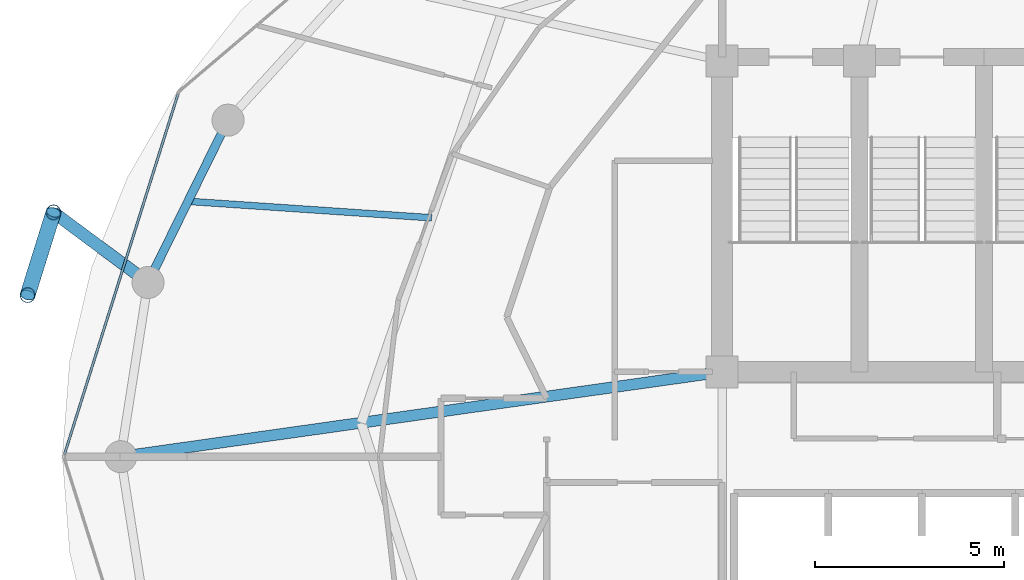
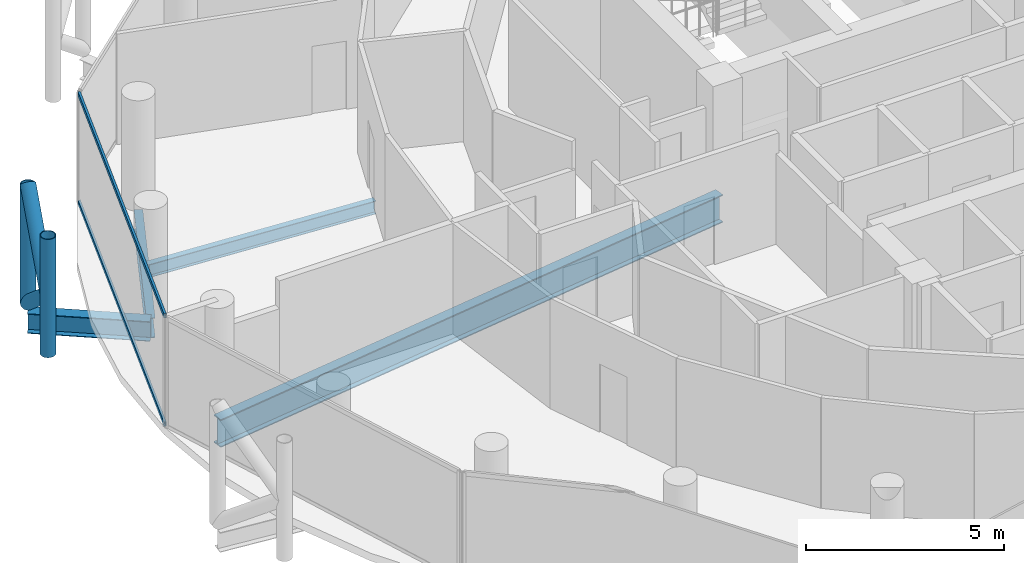
# One storey, part 8 of 27: 6 members, 4 beams, 1 element without a shape of its own.
"""IFC4 building model written with IfcOpenShell, lengths in metres."""

from ifc_helpers import new_model, si_unit, direction, frame, origin, origin_2d, place, context, subcontext, project, spatial, hollow_rectangle, hollow_circle, i_section, extrude, material, layer, layer_set, material_profile, profile_set, type_object, element, aggregate, save


model = new_model("IFC4")

# Units and contexts
model_context = context("Model", 3, precision=1e-05, world=origin(), true_north=direction((0.0, 1.0)))
body_context = subcontext(model_context, "Body", "Model", "MODEL_VIEW")
ifc_project = project(units=[si_unit("LENGTHUNIT", "METRE"), si_unit("AREAUNIT", "SQUARE_METRE"), si_unit("VOLUMEUNIT", "CUBIC_METRE"), si_unit("PLANEANGLEUNIT", "RADIAN"), si_unit("MASSUNIT", "GRAM", prefix="KILO")], contexts=[model_context])

# Site, building, storey
site_placement = place(None, origin())
site = spatial("IfcSite", under=ifc_project, at=site_placement, CompositionType="ELEMENT")
building_placement = place(site_placement, origin())
building = spatial("IfcBuilding", under=site, at=building_placement, Name="Nuhasar Tower", CompositionType="ELEMENT")
storey_placement = place(building_placement, frame((0.0, 0.0, 226.39990234375)))
storey = spatial("IfcBuildingStorey", under=building, at=storey_placement, Name="L55", CompositionType="ELEMENT", Elevation=226.39990234375)

# Beams
ifc_material_1 = material(Name="Steel S355", Category="steel")
ifc_material_profile_1 = material_profile(ifc_material_1, i_section(OverallWidth=0.177978515625, OverallDepth=0.406005859375, WebThickness=0.0078125, FlangeThickness=0.0126953125, at=origin_2d()), Name="W16X40")
ifc_profile_set_1 = profile_set([ifc_material_profile_1], Name="Steel S355")
beam_type_1 = type_object("IfcBeamType", Name="BM-JST-W16X40", PredefinedType="JOIST", material=ifc_profile_set_1)
beam_1_placement = place(storey_placement, frame((25.9970703125, 33.135986328125, -0.44287109375), z_axis=(-0.997721156568, 0.067472170095, 0.0), x_axis=(-0.067472170095, -0.997721156568, 0.0)))
element("IfcBeam", 1, at=beam_1_placement, inside=storey, type_object=beam_type_1, Name="L55 Secondary Floor Joist 07", PredefinedType="JOIST", context=body_context, shape_type="SweptSolid", body=[
    extrude(i_section(OverallWidth=0.177978515625, OverallDepth=0.406005859375, WebThickness=0.0078125, FlangeThickness=0.0126953125, at=origin_2d()), origin(), (0.0, 0.0, 1.0), 6.476806640625),
])
ifc_material_profile_2 = material_profile(ifc_material_1, i_section(OverallWidth=0.2919921875, OverallDepth=0.85888671875, WebThickness=0.01708984375, FlangeThickness=0.031005859375, at=origin_2d()), Name="W33X169")
ifc_profile_set_2 = profile_set([ifc_material_profile_2], Name="Steel S355")
beam_type_2 = type_object("IfcBeamType", Name="BM-POD-W33X169", PredefinedType="BEAM", material=ifc_profile_set_2)
beam_2_placement = place(storey_placement, frame((33.699951171875, 29.050048828125, -0.6689453125), z_axis=(-0.990196233464, -0.139683281866, 0.0), x_axis=(0.139683281866, -0.990196233464, 0.0)))
element("IfcBeam", 2, at=beam_2_placement, inside=storey, type_object=beam_type_2, Name="L55 Radial Floor Girder 08", PredefinedType="BEAM", context=body_context, shape_type="SweptSolid", body=[
    extrude(i_section(OverallWidth=0.2919921875, OverallDepth=0.85888671875, WebThickness=0.01708984375, FlangeThickness=0.031005859375, at=origin_2d()), origin(), (0.0, 0.0, 1.0), 16.10791015625),
])
ifc_material_profile_3 = material_profile(ifc_material_1, i_section(OverallWidth=0.22802734375, OverallDepth=0.60791015625, WebThickness=0.01123046875, FlangeThickness=0.017333984375, at=origin_2d()), Name="W24X76")
ifc_profile_set_3 = profile_set([ifc_material_profile_3], Name="Steel S355")
beam_type_3 = type_object("IfcBeamType", Name="BM-RING-W24X76", PredefinedType="SPANDREL", material=ifc_profile_set_3)
beam_3_placement = place(storey_placement, frame((20.596923828125, 35.72509765625, -0.5439453125), z_axis=(-0.442242604409, -0.896895467067, 0.0), x_axis=(0.896895467067, -0.442242604409, 0.0)))
element("IfcBeam", 3, at=beam_3_placement, inside=storey, type_object=beam_type_3, Name="L55 Perimeter Ring Spandrel 11", PredefinedType="SPANDREL", context=body_context, shape_type="SweptSolid", body=[
    extrude(i_section(OverallWidth=0.22802734375, OverallDepth=0.60791015625, WebThickness=0.01123046875, FlangeThickness=0.017333984375, at=origin_2d()), origin(), (0.0, 0.0, 1.0), 4.800048828125),
])
ifc_material_profile_4 = material_profile(ifc_material_1, i_section(OverallWidth=0.323974609375, OverallDepth=0.611083984375, WebThickness=0.0126953125, FlangeThickness=0.01904296875, at=origin_2d()), Name="W24X104")
ifc_profile_set_4 = profile_set([ifc_material_profile_4], Name="Steel S355")
beam_type_4 = type_object("IfcBeamType", Name="BM-TIE-W24X104", PredefinedType="BEAM", material=ifc_profile_set_4)
beam_4_placement = place(storey_placement, frame((18.47412109375, 31.419921875, -0.544921875), z_axis=(-0.802945922723, 0.596051881285, 0.0), x_axis=(-0.596051881285, -0.802945922723, 0.0)))
element("IfcBeam", 4, at=beam_4_placement, inside=storey, type_object=beam_type_4, Name="L55 Exoskeleton Node Tie Beam 06", PredefinedType="BEAM", context=body_context, shape_type="SweptSolid", body=[
    extrude(i_section(OverallWidth=0.323974609375, OverallDepth=0.611083984375, WebThickness=0.0126953125, FlangeThickness=0.01904296875, at=origin_2d()), origin(), (0.0, 0.0, 1.0), 3.122314453125),
])

# Curtain wall, members
ifc_material_2 = material(Name="Aluminium 6063-T6", Category="aluminium")
ifc_layer = layer(ifc_material_2, 0.18994140625)
ifc_layer_set = layer_set([ifc_layer], Name="Aluminium 6063-T6")
curtain_wall_type = type_object("IfcCurtainWallType", Name="CW-Z3-RES", PredefinedType="NOTDEFINED", material=ifc_layer_set)
curtain_wall_placement = place(storey_placement, origin())
curtain_wall = element("IfcCurtainWall", 5, at=curtain_wall_placement, inside=storey, type_object=curtain_wall_type, Name="L55 Unitised Curtain Wall 06", PredefinedType="NOTDEFINED")
ifc_material_profile_5 = material_profile(ifc_material_2, hollow_rectangle(XDim=0.06494140625, YDim=0.139892578125, WallThickness=0.00439453125, at=origin_2d()), Name="CWT-4")
ifc_profile_set_5 = profile_set([ifc_material_profile_5], Name="Aluminium 6063-T6")
member_type_1 = type_object("IfcMemberType", Name="CW-TRN-S4", PredefinedType="USERDEFINED", material=ifc_profile_set_5)
member_1_placement = place(storey_placement, frame((19.26953125, 36.41796875, 0.03271484375), z_axis=(-0.300437373386, -0.953801543652, 0.0), x_axis=(0.953801543652, -0.300437373386, 0.0)))
member_1 = element("IfcMember", 6, at=member_1_placement, type_object=member_type_1, Name="CW-Z3 transom 1.1", ObjectType="TRANSOM", PredefinedType="USERDEFINED", context=body_context, shape_type="SweptSolid", body=[
    extrude(hollow_rectangle(XDim=0.06494140625, YDim=0.139892578125, WallThickness=0.00439453125, at=origin_2d()), origin(), (0.0, 0.0, 1.0), 10.018798828125),
])
member_2_placement = place(storey_placement, frame((19.26953125, 36.41796875, 3.377685546875), z_axis=(-0.300437373386, -0.953801543652, 0.0), x_axis=(0.953801543652, -0.300437373386, 0.0)))
member_2 = element("IfcMember", 7, at=member_2_placement, type_object=member_type_1, Name="CW-Z3 transom 1.2", ObjectType="TRANSOM", PredefinedType="USERDEFINED", context=body_context, shape_type="SweptSolid", body=[
    extrude(hollow_rectangle(XDim=0.06494140625, YDim=0.139892578125, WallThickness=0.00439453125, at=origin_2d()), origin(), (0.0, 0.0, 1.0), 10.018798828125),
])
aggregate(curtain_wall, [member_1, member_2])

# Members
ifc_material_3 = material(Name="Steel S460", Category="steel")
ifc_material_profile_6 = material_profile(ifc_material_3, hollow_circle(Radius=0.203125, WallThickness=0.01904296875, at=origin_2d()), Name="HSS406.4X19.1")
ifc_profile_set_6 = profile_set([ifc_material_profile_6], Name="Steel S460")
member_type_2 = type_object("IfcMemberType", Name="EXO-BRONZE-406", PredefinedType="BRACE", material=ifc_profile_set_6)
for number, where, z_axis, x_axis, name in (
    (8, (15.967041015625, 33.281005859375, 0.0), (0.0, 0.0, 1.0), (1.0, 0.0, 0.0), "L55 Exoskeleton Chord Column EC-06A"),
    (9, (15.281982421875, 31.0859375, 0.0), (0.0, 0.0, 1.0), (1.0, 0.0, 0.0), "L55 Exoskeleton Chord Column EC-06B"),
):
    element("IfcMember", number, at=place(storey_placement, frame(where, z_axis=z_axis, x_axis=x_axis)), inside=storey, type_object=member_type_2, Name=name, PredefinedType="BRACE", context=body_context, shape_type="SweptSolid", body=[
        extrude(hollow_circle(Radius=0.203125, WallThickness=0.01904296875, at=origin_2d()), origin(), (0.0, 0.0, 1.0), 3.650146484375),
    ])
member_3_placement = place(storey_placement, frame((15.967041015625, 33.281005859375, 0.0), z_axis=(-0.233345847503, -0.747687995332, 0.621701195985), x_axis=(0.954591372974, -0.297918295247, 0.0)))
element("IfcMember", 10, at=member_3_placement, inside=storey, type_object=member_type_2, Name="L55 Bronze Diagrid Brace W1-06", PredefinedType="BRACE", context=body_context, shape_type="SweptSolid", body=[
    extrude(hollow_circle(Radius=0.203125, WallThickness=0.01904296875, at=origin_2d()), origin(), (0.0, 0.0, 1.0), 2.935791015625),
])
member_4_placement = place(storey_placement, frame((15.281982421875, 31.0859375, 1.8251953125), z_axis=(0.233357911711, 0.747726651531, 0.621650174641), x_axis=(-0.954591372974, 0.297918295247, 0.0)))
element("IfcMember", 11, at=member_4_placement, inside=storey, type_object=member_type_2, Name="L55 Bronze Diagrid Brace W2-06", PredefinedType="BRACE", context=body_context, shape_type="SweptSolid", body=[
    extrude(hollow_circle(Radius=0.203125, WallThickness=0.01904296875, at=origin_2d()), origin(), (0.0, 0.0, 1.0), 2.935546875),
])

save(model, "model.ifc")
